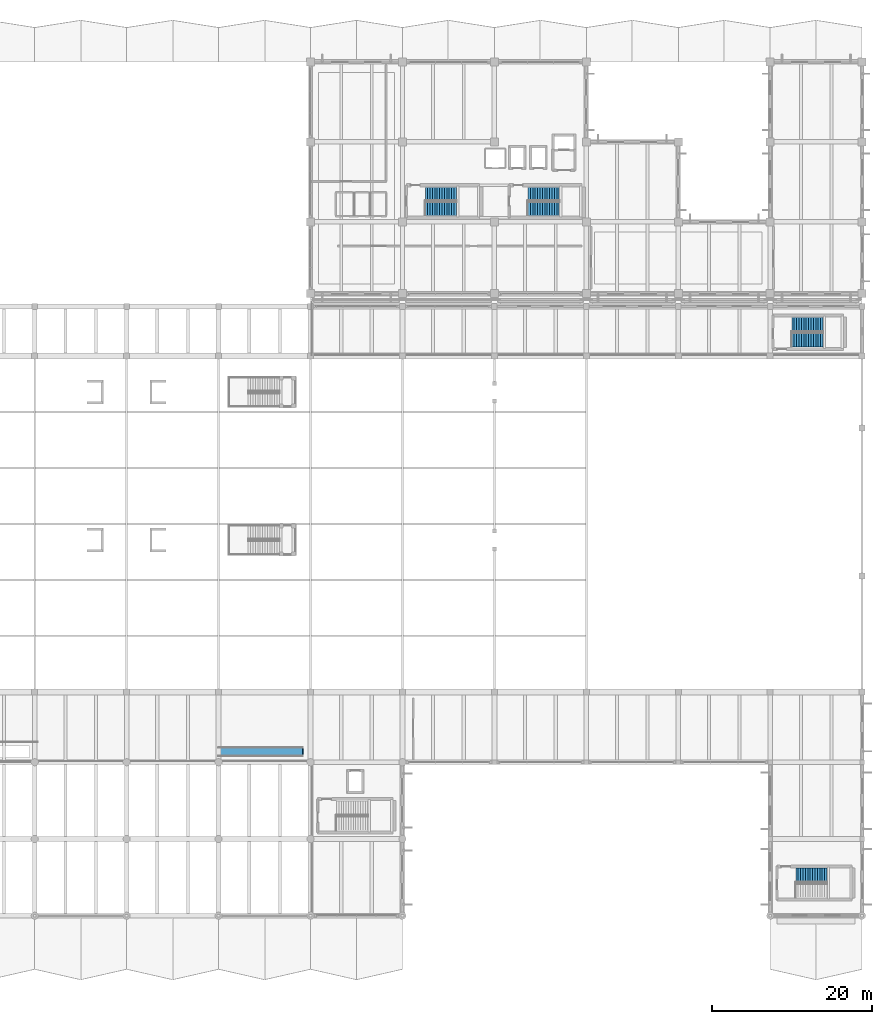
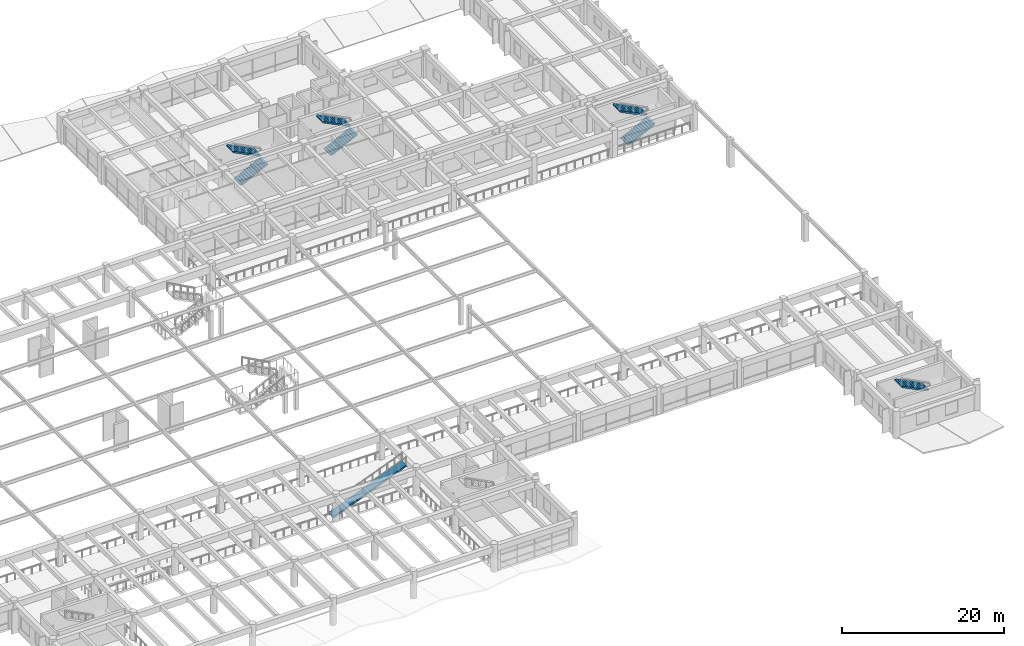
# One storey, part 83 of 98: 7 stair flights, 1 ramp flight, 5 elements without a shape of their own.
"""IFC4 building model written with IfcOpenShell, lengths in metres."""

from ifc_helpers import new_model, si_unit, direction, frame, origin, place, context, subcontext, project, spatial, polyline, outline, extrude, material, layer, layer_set, type_object, element, aggregate, save


model = new_model("IFC4")

# Units and contexts
model_context = context("Model", 3, precision=1e-05, world=origin(), true_north=direction((0.0, 1.0)))
body_context = subcontext(model_context, "Body", "Model", "MODEL_VIEW")
ifc_project = project(units=[si_unit("LENGTHUNIT", "METRE"), si_unit("AREAUNIT", "SQUARE_METRE"), si_unit("VOLUMEUNIT", "CUBIC_METRE"), si_unit("PLANEANGLEUNIT", "RADIAN"), si_unit("MASSUNIT", "GRAM", prefix="KILO")], contexts=[model_context])

# Site, building, storey
site_placement = place(None, origin())
site = spatial("IfcSite", under=ifc_project, at=site_placement, CompositionType="ELEMENT")
building_placement = place(site_placement, origin())
building = spatial("IfcBuilding", under=site, at=building_placement, Name="Ologun Quay Terminus", CompositionType="ELEMENT")
storey_placement = place(building_placement, frame((0.0, 0.0, 4.199951171875)))
storey = spatial("IfcBuildingStorey", under=building, at=storey_placement, Name="L01", CompositionType="ELEMENT", Elevation=4.199951171875)

# Stair, stair flights
ifc_material_1 = material(Name="Concrete C40/50", Category="concrete")
stair_type_1 = type_object("IfcStairType", Name="Courtyard Wing Core Escape Stair 1700", PredefinedType="HALF_TURN_STAIR", material=ifc_material_1)
stair_1_placement = place(storey_placement, origin())
stair_1 = element("IfcStair", 1, at=stair_1_placement, inside=storey, type_object=stair_type_1, Name="ST-E1 Stair L01", PredefinedType="HALF_TURN_STAIR")
ifc_material_2 = material(Name="Concrete C40/50", Category="concrete")
stair_flight_type_1 = type_object("IfcStairFlightType", Name="Courtyard Wing Precast Concrete Stair Flight 1700", PredefinedType="STRAIGHT", material=ifc_material_2)
stair_flight_1_placement = place(storey_placement, frame((129.35009765625, 96.449951171875, 0.0), z_axis=(0.0, 0.0, 1.0), x_axis=(1.0, 0.0, 0.0)))
stair_flight_1 = element("IfcStairFlight", 2, at=stair_flight_1_placement, type_object=stair_flight_type_1, Name="ST-E1 Lower Flight L01", NumberOfRisers=14, NumberOfTreads=13, PredefinedType="STRAIGHT", RiserHeight=0.15, TreadLength=0.3, context=body_context, shape_type="SweptSolid", body=[
    extrude(outline(polyline([(0.0, 0.0), (0.0, 0.14990234375), (0.300048828125, 0.14990234375), (0.300048828125, 0.300048828125), (0.60009765625, 0.300048828125), (0.60009765625, 0.449951171875), (0.89990234375, 0.449951171875), (0.89990234375, 0.60009765625), (1.199951171875, 0.60009765625), (1.199951171875, 0.75), (1.5, 0.75), (1.5, 0.89990234375), (1.800048828125, 0.89990234375), (1.800048828125, 1.050048828125), (2.10009765625, 1.050048828125), (2.10009765625, 1.199951171875), (2.39990234375, 1.199951171875), (2.39990234375, 1.35009765625), (2.699951171875, 1.35009765625), (2.699951171875, 1.5), (3.0, 1.5), (3.0, 1.64990234375), (3.300048828125, 1.64990234375), (3.300048828125, 1.800048828125), (3.60009765625, 1.800048828125), (3.60009765625, 1.949951171875), (3.89990234375, 1.949951171875), (3.89990234375, 2.10009765625), (3.89990234375, 1.748779296875), (0.40234375, 0.0), (0.0, 0.0)])), frame((0.0, 0.85009765625, 0.0), z_axis=(0.0, -1.0, 0.0), x_axis=(1.0, 0.0, 0.0)), (0.0, 0.0, 1.0), 1.699951171875),
])
stair_flight_2_placement = place(storey_placement, frame((133.25, 98.25, 2.10009765625), z_axis=(0.0, 0.0, 1.0), x_axis=(-1.0, 0.0, 0.0)))
stair_flight_2 = element("IfcStairFlight", 3, at=stair_flight_2_placement, type_object=stair_flight_type_1, Name="ST-E1 Upper Flight L01", NumberOfRisers=14, NumberOfTreads=13, PredefinedType="STRAIGHT", RiserHeight=0.15, TreadLength=0.3, context=body_context, shape_type="SweptSolid", body=[
    extrude(outline(polyline([(0.0, 0.0), (0.0, 0.14990234375), (0.300048828125, 0.14990234375), (0.300048828125, 0.300048828125), (0.60009765625, 0.300048828125), (0.60009765625, 0.449951171875), (0.89990234375, 0.449951171875), (0.89990234375, 0.60009765625), (1.199951171875, 0.60009765625), (1.199951171875, 0.75), (1.5, 0.75), (1.5, 0.89990234375), (1.800048828125, 0.89990234375), (1.800048828125, 1.050048828125), (2.10009765625, 1.050048828125), (2.10009765625, 1.199951171875), (2.39990234375, 1.199951171875), (2.39990234375, 1.35009765625), (2.699951171875, 1.35009765625), (2.699951171875, 1.5), (3.0, 1.5), (3.0, 1.64990234375), (3.300048828125, 1.64990234375), (3.300048828125, 1.800048828125), (3.60009765625, 1.800048828125), (3.60009765625, 1.949951171875), (3.89990234375, 1.949951171875), (3.89990234375, 2.10009765625), (3.89990234375, 1.748779296875), (0.40234375, 0.0), (0.0, 0.0)])), frame((0.0, 0.85009765625, 0.0), z_axis=(0.0, -1.0, 0.0), x_axis=(1.0, 0.0, 0.0)), (0.0, 0.0, 1.0), 1.699951171875),
])
aggregate(stair_1, [stair_flight_1, stair_flight_2])

stair_2_placement = place(storey_placement, origin())
stair_2 = element("IfcStair", 4, at=stair_2_placement, inside=storey, type_object=stair_type_1, Name="ST-E2 Stair L01", PredefinedType="HALF_TURN_STAIR")
stair_flight_3_placement = place(storey_placement, frame((142.199951171875, 96.449951171875, 0.0), z_axis=(0.0, 0.0, 1.0), x_axis=(1.0, 0.0, 0.0)))
stair_flight_3 = element("IfcStairFlight", 5, at=stair_flight_3_placement, type_object=stair_flight_type_1, Name="ST-E2 Lower Flight L01", NumberOfRisers=14, NumberOfTreads=13, PredefinedType="STRAIGHT", RiserHeight=0.15, TreadLength=0.3, context=body_context, shape_type="SweptSolid", body=[
    extrude(outline(polyline([(0.0, 0.0), (0.0, 0.14990234375), (0.300048828125, 0.14990234375), (0.300048828125, 0.300048828125), (0.60009765625, 0.300048828125), (0.60009765625, 0.449951171875), (0.89990234375, 0.449951171875), (0.89990234375, 0.60009765625), (1.199951171875, 0.60009765625), (1.199951171875, 0.75), (1.5, 0.75), (1.5, 0.89990234375), (1.800048828125, 0.89990234375), (1.800048828125, 1.050048828125), (2.10009765625, 1.050048828125), (2.10009765625, 1.199951171875), (2.39990234375, 1.199951171875), (2.39990234375, 1.35009765625), (2.699951171875, 1.35009765625), (2.699951171875, 1.5), (3.0, 1.5), (3.0, 1.64990234375), (3.300048828125, 1.64990234375), (3.300048828125, 1.800048828125), (3.60009765625, 1.800048828125), (3.60009765625, 1.949951171875), (3.89990234375, 1.949951171875), (3.89990234375, 2.10009765625), (3.89990234375, 1.748779296875), (0.40234375, 0.0), (0.0, 0.0)])), frame((0.0, 0.85009765625, 0.0), z_axis=(0.0, -1.0, 0.0), x_axis=(1.0, 0.0, 0.0)), (0.0, 0.0, 1.0), 1.699951171875),
])
stair_flight_4_placement = place(storey_placement, frame((146.10009765625, 98.25, 2.10009765625), z_axis=(0.0, 0.0, 1.0), x_axis=(-1.0, 0.0, 0.0)))
stair_flight_4 = element("IfcStairFlight", 6, at=stair_flight_4_placement, type_object=stair_flight_type_1, Name="ST-E2 Upper Flight L01", NumberOfRisers=14, NumberOfTreads=13, PredefinedType="STRAIGHT", RiserHeight=0.15, TreadLength=0.3, context=body_context, shape_type="SweptSolid", body=[
    extrude(outline(polyline([(0.0, 0.0), (0.0, 0.14990234375), (0.300048828125, 0.14990234375), (0.300048828125, 0.300048828125), (0.60009765625, 0.300048828125), (0.60009765625, 0.449951171875), (0.89990234375, 0.449951171875), (0.89990234375, 0.60009765625), (1.199951171875, 0.60009765625), (1.199951171875, 0.75), (1.5, 0.75), (1.5, 0.89990234375), (1.800048828125, 0.89990234375), (1.800048828125, 1.050048828125), (2.10009765625, 1.050048828125), (2.10009765625, 1.199951171875), (2.39990234375, 1.199951171875), (2.39990234375, 1.35009765625), (2.699951171875, 1.35009765625), (2.699951171875, 1.5), (3.0, 1.5), (3.0, 1.64990234375), (3.300048828125, 1.64990234375), (3.300048828125, 1.800048828125), (3.60009765625, 1.800048828125), (3.60009765625, 1.949951171875), (3.89990234375, 1.949951171875), (3.89990234375, 2.10009765625), (3.89990234375, 1.748779296875), (0.40234375, 0.0), (0.0, 0.0)])), frame((0.0, 0.85009765625, 0.0), z_axis=(0.0, -1.0, 0.0), x_axis=(1.0, 0.0, 0.0)), (0.0, 0.0, 1.0), 1.699951171875),
])
aggregate(stair_2, [stair_flight_3, stair_flight_4])

# Stair, stair flight
ifc_material_3 = material(Name="Concrete C40/50", Category="concrete")
stair_type_2 = type_object("IfcStairType", Name="Station Concourse Escape Stair 1800", PredefinedType="HALF_TURN_STAIR", material=ifc_material_3)
stair_3_placement = place(storey_placement, origin())
stair_3 = element("IfcStair", 7, at=stair_3_placement, inside=storey, type_object=stair_type_2, Name="ST-S2 Stair L01", PredefinedType="HALF_TURN_STAIR")
ifc_material_4 = material(Name="Concrete C40/50", Category="concrete")
stair_flight_type_2 = type_object("IfcStairFlightType", Name="Station Precast Concrete Stair Flight 1800", PredefinedType="STRAIGHT", material=ifc_material_4)
stair_flight_5_placement = place(storey_placement, frame((179.60009765625, 13.050048828125, 2.10009765625), z_axis=(0.0, 0.0, 1.0), x_axis=(-1.0, 0.0, 0.0)))
stair_flight_5 = element("IfcStairFlight", 8, at=stair_flight_5_placement, type_object=stair_flight_type_2, Name="ST-S2 Upper Flight L01", NumberOfRisers=14, NumberOfTreads=13, PredefinedType="STRAIGHT", RiserHeight=0.15, TreadLength=0.3, context=body_context, shape_type="SweptSolid", body=[
    extrude(outline(polyline([(0.0, 0.0), (0.0, 0.14990234375), (0.300048828125, 0.14990234375), (0.300048828125, 0.300048828125), (0.60009765625, 0.300048828125), (0.60009765625, 0.449951171875), (0.89990234375, 0.449951171875), (0.89990234375, 0.60009765625), (1.199951171875, 0.60009765625), (1.199951171875, 0.75), (1.5, 0.75), (1.5, 0.89990234375), (1.800048828125, 0.89990234375), (1.800048828125, 1.050048828125), (2.10009765625, 1.050048828125), (2.10009765625, 1.199951171875), (2.39990234375, 1.199951171875), (2.39990234375, 1.35009765625), (2.699951171875, 1.35009765625), (2.699951171875, 1.5), (3.0, 1.5), (3.0, 1.64990234375), (3.300048828125, 1.64990234375), (3.300048828125, 1.800048828125), (3.60009765625, 1.800048828125), (3.60009765625, 1.949951171875), (3.89990234375, 1.949951171875), (3.89990234375, 2.10009765625), (3.89990234375, 1.7265625), (0.447021484375, 0.0), (0.0, 0.0)])), frame((0.0, 0.89990234375, 0.0), z_axis=(0.0, -1.0, 0.0), x_axis=(1.0, 0.0, 0.0)), (0.0, 0.0, 1.0), 1.800048828125),
])
aggregate(stair_3, [stair_flight_5])

# Stair, stair flights
stair_4_placement = place(storey_placement, origin())
stair_4 = element("IfcStair", 9, at=stair_4_placement, inside=storey, type_object=stair_type_2, Name="ST-NG2 Stair L01", PredefinedType="HALF_TURN_STAIR")
stair_flight_6_placement = place(storey_placement, frame((175.199951171875, 80.050048828125, 0.0), z_axis=(0.0, 0.0, 1.0), x_axis=(1.0, 0.0, 0.0)))
stair_flight_6 = element("IfcStairFlight", 10, at=stair_flight_6_placement, type_object=stair_flight_type_2, Name="ST-NG2 Lower Flight L01", NumberOfRisers=14, NumberOfTreads=13, PredefinedType="STRAIGHT", RiserHeight=0.15, TreadLength=0.3, context=body_context, shape_type="SweptSolid", body=[
    extrude(outline(polyline([(0.0, 0.0), (0.0, 0.14990234375), (0.300048828125, 0.14990234375), (0.300048828125, 0.300048828125), (0.60009765625, 0.300048828125), (0.60009765625, 0.449951171875), (0.89990234375, 0.449951171875), (0.89990234375, 0.60009765625), (1.199951171875, 0.60009765625), (1.199951171875, 0.75), (1.5, 0.75), (1.5, 0.89990234375), (1.800048828125, 0.89990234375), (1.800048828125, 1.050048828125), (2.10009765625, 1.050048828125), (2.10009765625, 1.199951171875), (2.39990234375, 1.199951171875), (2.39990234375, 1.35009765625), (2.699951171875, 1.35009765625), (2.699951171875, 1.5), (3.0, 1.5), (3.0, 1.64990234375), (3.300048828125, 1.64990234375), (3.300048828125, 1.800048828125), (3.60009765625, 1.800048828125), (3.60009765625, 1.949951171875), (3.89990234375, 1.949951171875), (3.89990234375, 2.10009765625), (3.89990234375, 1.7265625), (0.447021484375, 0.0), (0.0, 0.0)])), frame((0.0, 0.89990234375, 0.0), z_axis=(0.0, -1.0, 0.0), x_axis=(1.0, 0.0, 0.0)), (0.0, 0.0, 1.0), 1.800048828125),
])
stair_flight_7_placement = place(storey_placement, frame((179.10009765625, 81.949951171875, 2.10009765625), z_axis=(0.0, 0.0, 1.0), x_axis=(-1.0, 0.0, 0.0)))
stair_flight_7 = element("IfcStairFlight", 11, at=stair_flight_7_placement, type_object=stair_flight_type_2, Name="ST-NG2 Upper Flight L01", NumberOfRisers=14, NumberOfTreads=13, PredefinedType="STRAIGHT", RiserHeight=0.15, TreadLength=0.3, context=body_context, shape_type="SweptSolid", body=[
    extrude(outline(polyline([(0.0, 0.0), (0.0, 0.14990234375), (0.300048828125, 0.14990234375), (0.300048828125, 0.300048828125), (0.60009765625, 0.300048828125), (0.60009765625, 0.449951171875), (0.89990234375, 0.449951171875), (0.89990234375, 0.60009765625), (1.199951171875, 0.60009765625), (1.199951171875, 0.75), (1.5, 0.75), (1.5, 0.89990234375), (1.800048828125, 0.89990234375), (1.800048828125, 1.050048828125), (2.10009765625, 1.050048828125), (2.10009765625, 1.199951171875), (2.39990234375, 1.199951171875), (2.39990234375, 1.35009765625), (2.699951171875, 1.35009765625), (2.699951171875, 1.5), (3.0, 1.5), (3.0, 1.64990234375), (3.300048828125, 1.64990234375), (3.300048828125, 1.800048828125), (3.60009765625, 1.800048828125), (3.60009765625, 1.949951171875), (3.89990234375, 1.949951171875), (3.89990234375, 2.10009765625), (3.89990234375, 1.7265625), (0.447021484375, 0.0), (0.0, 0.0)])), frame((0.0, 0.89990234375, 0.0), z_axis=(0.0, -1.0, 0.0), x_axis=(1.0, 0.0, 0.0)), (0.0, 0.0, 1.0), 1.800048828125),
])
aggregate(stair_4, [stair_flight_6, stair_flight_7])

# Ramp, ramp flight
ifc_material_5 = material(Name="Steel S355", Category="steel")
ramp_type = type_object("IfcRampType", Name="Escalator Inclined Structural Deck 1100", PredefinedType="STRAIGHT_RUN_RAMP", material=ifc_material_5)
ramp_placement = place(storey_placement, origin())
ramp = element("IfcRamp", 12, at=ramp_placement, inside=storey, type_object=ramp_type, Name="Escalator Structural Ramp ESC-06", PredefinedType="STRAIGHT_RUN_RAMP")
ifc_material_6 = material(Name="Steel S355", Category="steel")
ifc_layer = layer(ifc_material_6, 0.25)
ifc_layer_set = layer_set([ifc_layer], Name="Steel S355")
ramp_flight_type = type_object("IfcRampFlightType", Name="Escalator Inclined Structural Deck 1100 Flight", PredefinedType="STRAIGHT", material=ifc_layer_set)
ramp_flight_placement = place(storey_placement, frame((103.5, 27.949951171875, 0.0), z_axis=(-0.371386954196, 0.0, 0.92847817974), x_axis=(0.92847817974, 0.0, 0.371386954196)))
ramp_flight = element("IfcRampFlight", 13, at=ramp_flight_placement, type_object=ramp_flight_type, Name="Escalator Deck Flight ESC-06", PredefinedType="STRAIGHT", context=body_context, shape_type="SweptSolid", body=[
    extrude(outline(polyline([(0.0, 0.0), (11.308827960762963, 0.0), (11.308827960762963, 1.10009765625), (0.0, 1.10009765625), (0.0, 0.0)])), origin(), (0.0, 0.0, -1.0), 0.25),
])
aggregate(ramp, [ramp_flight])

save(model, "model.ifc")
